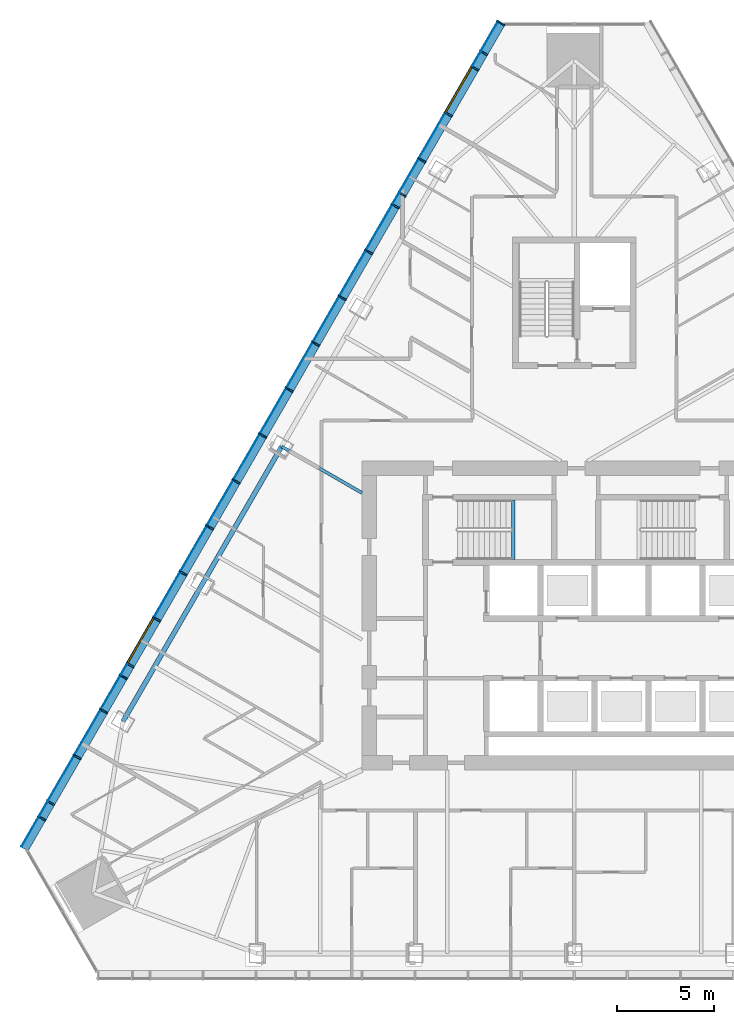
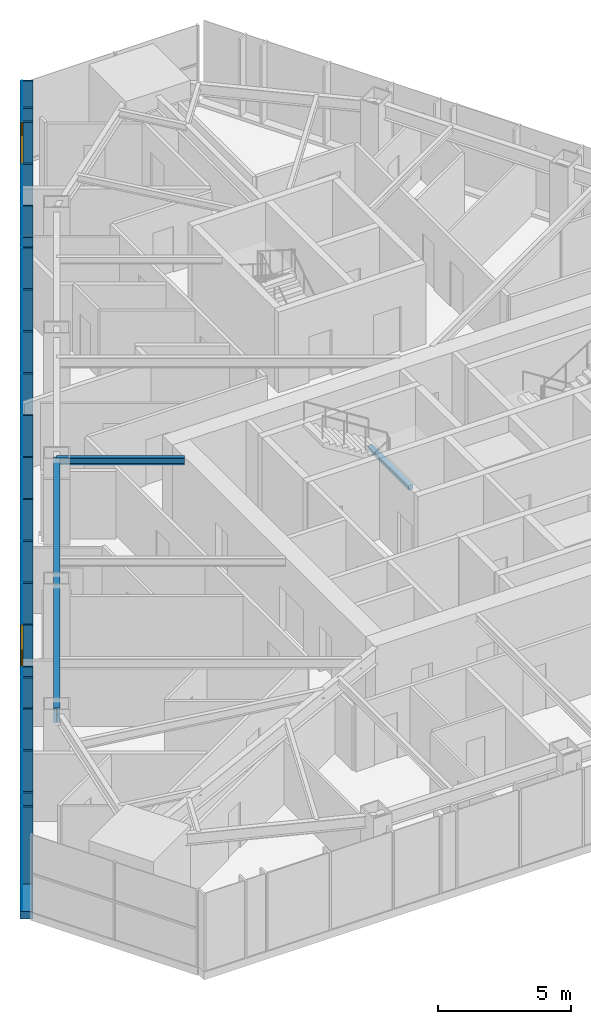
# One storey, part 4 of 16: 23 members, 20 plates, 3 beams, 2 windows, 2 openings, 1 element without a shape of its own.
"""IFC4 building model written with IfcOpenShell, lengths in metres."""

from ifc_helpers import new_model, si_unit, direction, frame, frame_2d, origin, origin_2d, place, context, subcontext, project, spatial, polyline, rectangle, i_section, outline, extrude, material, layer, layer_set, material_profile, profile_set, type_object, element, fill, aggregate, save


model = new_model("IFC4")

# Units and contexts
model_context = context("Model", 3, precision=1e-05, world=origin(), true_north=direction((0.0, 1.0)))
body_context = subcontext(model_context, "Body", "Model", "MODEL_VIEW")
ifc_project = project(units=[si_unit("LENGTHUNIT", "METRE"), si_unit("AREAUNIT", "SQUARE_METRE"), si_unit("VOLUMEUNIT", "CUBIC_METRE"), si_unit("PLANEANGLEUNIT", "RADIAN"), si_unit("MASSUNIT", "GRAM", prefix="KILO")], contexts=[model_context])

# Site, building, storey
site_placement = place(None, origin())
site = spatial("IfcSite", under=ifc_project, at=site_placement, CompositionType="ELEMENT")
building_placement = place(site_placement, origin())
building = spatial("IfcBuilding", under=site, at=building_placement, Name="Firuza Gate Tower and Library", CompositionType="ELEMENT")
storey_placement = place(building_placement, frame((0.0, 0.0, 229.89990234375)))
storey = spatial("IfcBuildingStorey", under=building, at=storey_placement, Name="L54", CompositionType="ELEMENT", Elevation=229.89990234375)

# Curtain wall, openings, members
ifc_material_1 = material(Name="Aluminium 6063-T6", Category="aluminium")
ifc_layer_1 = layer(ifc_material_1, 0.14990234375)
ifc_layer_set_1 = layer_set([ifc_layer_1], Name="Unitised curtain wall, hotel")
curtain_wall_type = type_object("IfcCurtainWallType", Name="Unitised curtain wall, hotel", PredefinedType="NOTDEFINED", material=ifc_layer_set_1)
curtain_wall_placement = place(storey_placement, origin())
curtain_wall = element("IfcCurtainWall", 1, at=curtain_wall_placement, inside=storey, type_object=curtain_wall_type, Name="CW2 L54 W face", PredefinedType="NOTDEFINED")
opening_1_placement = place(curtain_wall_placement, frame((69.677490234375, 103.399169921875, 0.150146484375), z_axis=(0.0, 0.0, 1.0), x_axis=(-0.5, -0.866025, 0.0)))
opening_1 = element("IfcOpeningElement", 2, at=opening_1_placement, cuts=curtain_wall, Name="Opening WD1-005", PredefinedType="OPENING", context=body_context, shape_type="SweptSolid", body=[
    extrude(rectangle(XDim=2.666748046875, YDim=3.550048828125, at=frame_2d((1.33349609375, 1.77490234375))), frame((0.0, 0.0849609375, 0.0), z_axis=(0.0, -1.0, 0.0), x_axis=(1.0, 0.0, 0.0)), (0.0, 0.0, 1.0), 0.169921875),
])
opening_2_placement = place(curtain_wall_placement, frame((53.197509765625, 74.855224609375, 0.150146484375), z_axis=(0.0, 0.0, 1.0), x_axis=(-0.5, -0.866025, 0.0)))
opening_2 = element("IfcOpeningElement", 3, at=opening_2_placement, cuts=curtain_wall, Name="Opening WD1-006", PredefinedType="OPENING", context=body_context, shape_type="SweptSolid", body=[
    extrude(rectangle(XDim=2.666748046875, YDim=3.550048828125, at=frame_2d((1.33349609375, 1.77490234375))), frame((0.0, 0.0849609375, 0.0), z_axis=(0.0, -1.0, 0.0), x_axis=(1.0, 0.0, 0.0)), (0.0, 0.0, 1.0), 0.169921875),
])
ifc_material_2 = material(Name="Aluminium 6063-T6", Category="aluminium")
ifc_material_profile_1 = material_profile(ifc_material_2, rectangle(XDim=0.47998046875, YDim=0.080078125, at=origin_2d()))
ifc_profile_set_1 = profile_set([ifc_material_profile_1], Name="Aluminium 6063-T6")
member_type_1 = type_object("IfcMemberType", Name="Curtain wall mullion 80x480", PredefinedType="MULLION", material=ifc_profile_set_1)
member_1_placement = place(storey_placement, frame((71.19384765625, 105.695556640625, 0.150146484375), z_axis=(0.0, 0.0, 1.0), x_axis=(0.866025403784, -0.5, 0.0)))
member_1 = element("IfcMember", 4, at=member_1_placement, type_object=member_type_1, Name="Mullion", PredefinedType="MULLION", context=body_context, shape_type="SweptSolid", body=[
    extrude(rectangle(XDim=0.47998046875, YDim=0.080078125, at=origin_2d()), origin(), (0.0, 0.0, 1.0), 3.550048828125),
])
member_2_placement = place(storey_placement, frame((69.840576171875, 103.351318359375, 0.150146484375), z_axis=(0.0, 0.0, 1.0), x_axis=(0.866025403784, -0.5, 0.0)))
member_2 = element("IfcMember", 5, at=member_2_placement, type_object=member_type_1, Name="Mullion", PredefinedType="MULLION", context=body_context, shape_type="SweptSolid", body=[
    extrude(rectangle(XDim=0.47998046875, YDim=0.080078125, at=origin_2d()), origin(), (0.0, 0.0, 1.0), 3.550048828125),
])
member_3_placement = place(storey_placement, frame((68.467041015625, 100.97265625, 0.150146484375), z_axis=(0.0, 0.0, 1.0), x_axis=(0.866025403784, -0.5, 0.0)))
member_3 = element("IfcMember", 6, at=member_3_placement, type_object=member_type_1, Name="Mullion", PredefinedType="MULLION", context=body_context, shape_type="SweptSolid", body=[
    extrude(rectangle(XDim=0.47998046875, YDim=0.080078125, at=origin_2d()), origin(), (0.0, 0.0, 1.0), 3.550048828125),
])
member_4_placement = place(storey_placement, frame((67.09375, 98.593994140625, 0.150146484375), z_axis=(0.0, 0.0, 1.0), x_axis=(0.866025403784, -0.5, 0.0)))
member_4 = element("IfcMember", 7, at=member_4_placement, type_object=member_type_1, Name="Mullion", PredefinedType="MULLION", context=body_context, shape_type="SweptSolid", body=[
    extrude(rectangle(XDim=0.47998046875, YDim=0.080078125, at=origin_2d()), origin(), (0.0, 0.0, 1.0), 3.550048828125),
])
member_5_placement = place(storey_placement, frame((65.720458984375, 96.21533203125, 0.150146484375), z_axis=(0.0, 0.0, 1.0), x_axis=(0.866025403784, -0.5, 0.0)))
member_5 = element("IfcMember", 8, at=member_5_placement, type_object=member_type_1, Name="Mullion", PredefinedType="MULLION", context=body_context, shape_type="SweptSolid", body=[
    extrude(rectangle(XDim=0.47998046875, YDim=0.080078125, at=origin_2d()), origin(), (0.0, 0.0, 1.0), 3.550048828125),
])
member_6_placement = place(storey_placement, frame((64.34716796875, 93.836669921875, 0.150146484375), z_axis=(0.0, 0.0, 1.0), x_axis=(0.866025403784, -0.5, 0.0)))
member_6 = element("IfcMember", 9, at=member_6_placement, type_object=member_type_1, Name="Mullion", PredefinedType="MULLION", context=body_context, shape_type="SweptSolid", body=[
    extrude(rectangle(XDim=0.47998046875, YDim=0.080078125, at=origin_2d()), origin(), (0.0, 0.0, 1.0), 3.550048828125),
])
member_7_placement = place(storey_placement, frame((62.973876953125, 91.4580078125, 0.150146484375), z_axis=(0.0, 0.0, 1.0), x_axis=(0.866025403784, -0.5, 0.0)))
member_7 = element("IfcMember", 10, at=member_7_placement, type_object=member_type_1, Name="Mullion", PredefinedType="MULLION", context=body_context, shape_type="SweptSolid", body=[
    extrude(rectangle(XDim=0.47998046875, YDim=0.080078125, at=origin_2d()), origin(), (0.0, 0.0, 1.0), 3.550048828125),
])
member_8_placement = place(storey_placement, frame((61.6005859375, 89.079345703125, 0.150146484375), z_axis=(0.0, 0.0, 1.0), x_axis=(0.866025403784, -0.5, 0.0)))
member_8 = element("IfcMember", 11, at=member_8_placement, type_object=member_type_1, Name="Mullion", PredefinedType="MULLION", context=body_context, shape_type="SweptSolid", body=[
    extrude(rectangle(XDim=0.47998046875, YDim=0.080078125, at=origin_2d()), origin(), (0.0, 0.0, 1.0), 3.550048828125),
])
member_9_placement = place(storey_placement, frame((60.22705078125, 86.70068359375, 0.150146484375), z_axis=(0.0, 0.0, 1.0), x_axis=(0.866025403784, -0.5, 0.0)))
member_9 = element("IfcMember", 12, at=member_9_placement, type_object=member_type_1, Name="Mullion", PredefinedType="MULLION", context=body_context, shape_type="SweptSolid", body=[
    extrude(rectangle(XDim=0.47998046875, YDim=0.080078125, at=origin_2d()), origin(), (0.0, 0.0, 1.0), 3.550048828125),
])
member_10_placement = place(storey_placement, frame((58.853759765625, 84.322021484375, 0.150146484375), z_axis=(0.0, 0.0, 1.0), x_axis=(0.866025403784, -0.5, 0.0)))
member_10 = element("IfcMember", 13, at=member_10_placement, type_object=member_type_1, Name="Mullion", PredefinedType="MULLION", context=body_context, shape_type="SweptSolid", body=[
    extrude(rectangle(XDim=0.47998046875, YDim=0.080078125, at=origin_2d()), origin(), (0.0, 0.0, 1.0), 3.550048828125),
])
member_11_placement = place(storey_placement, frame((57.48046875, 81.943359375, 0.150146484375), z_axis=(0.0, 0.0, 1.0), x_axis=(0.866025403784, -0.5, 0.0)))
member_11 = element("IfcMember", 14, at=member_11_placement, type_object=member_type_1, Name="Mullion", PredefinedType="MULLION", context=body_context, shape_type="SweptSolid", body=[
    extrude(rectangle(XDim=0.47998046875, YDim=0.080078125, at=origin_2d()), origin(), (0.0, 0.0, 1.0), 3.550048828125),
])
member_12_placement = place(storey_placement, frame((56.107177734375, 79.564697265625, 0.150146484375), z_axis=(0.0, 0.0, 1.0), x_axis=(0.866025403784, -0.5, 0.0)))
member_12 = element("IfcMember", 15, at=member_12_placement, type_object=member_type_1, Name="Mullion", PredefinedType="MULLION", context=body_context, shape_type="SweptSolid", body=[
    extrude(rectangle(XDim=0.47998046875, YDim=0.080078125, at=origin_2d()), origin(), (0.0, 0.0, 1.0), 3.550048828125),
])
member_13_placement = place(storey_placement, frame((54.73388671875, 77.18603515625, 0.150146484375), z_axis=(0.0, 0.0, 1.0), x_axis=(0.866025403784, -0.5, 0.0)))
member_13 = element("IfcMember", 16, at=member_13_placement, type_object=member_type_1, Name="Mullion", PredefinedType="MULLION", context=body_context, shape_type="SweptSolid", body=[
    extrude(rectangle(XDim=0.47998046875, YDim=0.080078125, at=origin_2d()), origin(), (0.0, 0.0, 1.0), 3.550048828125),
])
member_14_placement = place(storey_placement, frame((53.360595703125, 74.807373046875, 0.150146484375), z_axis=(0.0, 0.0, 1.0), x_axis=(0.866025403784, -0.5, 0.0)))
member_14 = element("IfcMember", 17, at=member_14_placement, type_object=member_type_1, Name="Mullion", PredefinedType="MULLION", context=body_context, shape_type="SweptSolid", body=[
    extrude(rectangle(XDim=0.47998046875, YDim=0.080078125, at=origin_2d()), origin(), (0.0, 0.0, 1.0), 3.550048828125),
])
member_15_placement = place(storey_placement, frame((51.9873046875, 72.4287109375, 0.150146484375), z_axis=(0.0, 0.0, 1.0), x_axis=(0.866025403784, -0.5, 0.0)))
member_15 = element("IfcMember", 18, at=member_15_placement, type_object=member_type_1, Name="Mullion", PredefinedType="MULLION", context=body_context, shape_type="SweptSolid", body=[
    extrude(rectangle(XDim=0.47998046875, YDim=0.080078125, at=origin_2d()), origin(), (0.0, 0.0, 1.0), 3.550048828125),
])
member_16_placement = place(storey_placement, frame((50.61376953125, 70.050048828125, 0.150146484375), z_axis=(0.0, 0.0, 1.0), x_axis=(0.866025403784, -0.5, 0.0)))
member_16 = element("IfcMember", 19, at=member_16_placement, type_object=member_type_1, Name="Mullion", PredefinedType="MULLION", context=body_context, shape_type="SweptSolid", body=[
    extrude(rectangle(XDim=0.47998046875, YDim=0.080078125, at=origin_2d()), origin(), (0.0, 0.0, 1.0), 3.550048828125),
])
member_17_placement = place(storey_placement, frame((49.240478515625, 67.671142578125, 0.150146484375), z_axis=(0.0, 0.0, 1.0), x_axis=(0.866025403784, -0.5, 0.0)))
member_17 = element("IfcMember", 20, at=member_17_placement, type_object=member_type_1, Name="Mullion", PredefinedType="MULLION", context=body_context, shape_type="SweptSolid", body=[
    extrude(rectangle(XDim=0.47998046875, YDim=0.080078125, at=origin_2d()), origin(), (0.0, 0.0, 1.0), 3.550048828125),
])
member_18_placement = place(storey_placement, frame((47.8671875, 65.29248046875, 0.150146484375), z_axis=(0.0, 0.0, 1.0), x_axis=(0.866025403784, -0.5, 0.0)))
member_18 = element("IfcMember", 21, at=member_18_placement, type_object=member_type_1, Name="Mullion", PredefinedType="MULLION", context=body_context, shape_type="SweptSolid", body=[
    extrude(rectangle(XDim=0.47998046875, YDim=0.080078125, at=origin_2d()), origin(), (0.0, 0.0, 1.0), 3.550048828125),
])
member_19_placement = place(storey_placement, frame((70.299560546875, 104.146484375, 0.150146484375), z_axis=(0.0, 0.0, 1.0), x_axis=(0.866025403784, -0.5, 0.0)))
member_19 = element("IfcMember", 22, at=member_19_placement, type_object=member_type_1, Name="Mullion", PredefinedType="MULLION", context=body_context, shape_type="SweptSolid", body=[
    extrude(rectangle(XDim=0.47998046875, YDim=0.080078125, at=origin_2d()), origin(), (0.0, 0.0, 1.0), 3.550048828125),
])
member_20_placement = place(storey_placement, frame((66.071533203125, 96.823486328125, 0.150146484375), z_axis=(0.0, 0.0, 1.0), x_axis=(0.866025403784, -0.5, 0.0)))
member_20 = element("IfcMember", 23, at=member_20_placement, type_object=member_type_1, Name="Mullion", PredefinedType="MULLION", context=body_context, shape_type="SweptSolid", body=[
    extrude(rectangle(XDim=0.47998046875, YDim=0.080078125, at=origin_2d()), origin(), (0.0, 0.0, 1.0), 3.550048828125),
])
member_21_placement = place(storey_placement, frame((51.635986328125, 71.8203125, 0.150146484375), z_axis=(0.0, 0.0, 1.0), x_axis=(0.866025403784, -0.5, 0.0)))
member_21 = element("IfcMember", 24, at=member_21_placement, type_object=member_type_1, Name="Mullion", PredefinedType="MULLION", context=body_context, shape_type="SweptSolid", body=[
    extrude(rectangle(XDim=0.47998046875, YDim=0.080078125, at=origin_2d()), origin(), (0.0, 0.0, 1.0), 3.550048828125),
])
member_22_placement = place(storey_placement, frame((47.408203125, 64.49755859375, 0.150146484375), z_axis=(0.0, 0.0, 1.0), x_axis=(0.866025403784, -0.5, 0.0)))
member_22 = element("IfcMember", 25, at=member_22_placement, type_object=member_type_1, Name="Mullion", PredefinedType="MULLION", context=body_context, shape_type="SweptSolid", body=[
    extrude(rectangle(XDim=0.47998046875, YDim=0.080078125, at=origin_2d()), origin(), (0.0, 0.0, 1.0), 3.550048828125),
])
ifc_material_3 = material(Name="Aluminium 6063-T6", Category="aluminium")
ifc_material_profile_2 = material_profile(ifc_material_3, rectangle(XDim=0.47998046875, YDim=0.35009765625, at=origin_2d()))
ifc_profile_set_2 = profile_set([ifc_material_profile_2], Name="Aluminium 6063-T6")
member_type_2 = type_object("IfcMemberType", Name="Curtain wall transom 350x480", PredefinedType="USERDEFINED", material=ifc_profile_set_2)
member_23_placement = place(storey_placement, frame((71.2138671875, 105.72998046875, -0.02490234375), z_axis=(-0.500000727908, -0.866024983526, 0.0), x_axis=(0.866024983526, -0.500000727908, 0.0)))
member_23 = element("IfcMember", 26, at=member_23_placement, type_object=member_type_2, Name="Transom", ObjectType="TRANSOM", PredefinedType="USERDEFINED", context=body_context, shape_type="SweptSolid", body=[
    extrude(rectangle(XDim=0.47998046875, YDim=0.35009765625, at=origin_2d()), origin(), (0.0, 0.0, 1.0), 49.43994140625),
])

# Beams
ifc_material_4 = material(Name="Concrete C35/45", Category="concrete")
ifc_material_profile_3 = material_profile(ifc_material_4, rectangle(XDim=0.199951171875, YDim=0.199951171875, at=origin_2d()))
ifc_profile_set_3 = profile_set([ifc_material_profile_3], Name="Concrete C35/45")
beam_type_1 = type_object("IfcBeamType", Name="Stair landing bearer 200x200", PredefinedType="BEAM", material=ifc_profile_set_3)
beam_1_placement = place(storey_placement, frame((71.840087890625, 77.89990234375, 1.650146484375), z_axis=(0.0, 1.0, 0.0), x_axis=(-1.0, 0.0, 0.0)))
element("IfcBeam", 27, at=beam_1_placement, inside=storey, type_object=beam_type_1, Name="Landing bearer L54 stair 1", PredefinedType="BEAM", context=body_context, shape_type="SweptSolid", body=[
    extrude(rectangle(XDim=0.199951171875, YDim=0.199951171875, at=origin_2d()), origin(), (0.0, 0.0, 1.0), 3.080078125),
])
ifc_material_5 = material(Name="Steel S355", Category="steel")
ifc_material_profile_4 = material_profile(ifc_material_5, i_section(OverallWidth=0.1650390625, OverallDepth=0.31005859375, WebThickness=0.005859375, FlangeThickness=0.009765625, at=origin_2d()))
ifc_profile_set_4 = profile_set([ifc_material_profile_4], Name="Steel S355")
beam_type_2 = type_object("IfcBeamType", Name="W310x39 Floor beam", PredefinedType="JOIST", material=ifc_profile_set_4)
beam_2_placement = place(storey_placement, frame((59.841064453125, 83.751953125, 3.545166015625), z_axis=(0.866028966346, -0.499993829411, 0.0), x_axis=(0.499993829411, 0.866028966346, 0.0)))
element("IfcBeam", 28, at=beam_2_placement, inside=storey, type_object=beam_type_2, Name="Floor beam L54 s82", PredefinedType="JOIST", context=body_context, shape_type="SweptSolid", body=[
    extrude(i_section(OverallWidth=0.1650390625, OverallDepth=0.31005859375, WebThickness=0.005859375, FlangeThickness=0.009765625, at=origin_2d()), origin(), (0.0, 0.0, 1.0), 4.80224609375),
])
ifc_material_6 = material(Name="Steel S355", Category="steel")
ifc_material_profile_5 = material_profile(ifc_material_6, i_section(OverallWidth=0.2529296875, OverallDepth=0.677978515625, WebThickness=0.01171875, FlangeThickness=0.016357421875, at=origin_2d()))
ifc_profile_set_5 = profile_set([ifc_material_profile_5], Name="Steel S355")
beam_type_3 = type_object("IfcBeamType", Name="W690x125 Edge beam", PredefinedType="SPANDREL", material=ifc_profile_set_5)
beam_3_placement = place(storey_placement, frame((59.841064453125, 83.751953125, 3.361083984375), z_axis=(-0.500001643842, -0.866024454709, 0.0), x_axis=(0.866024454709, -0.500001643842, 0.0)))
element("IfcBeam", 29, at=beam_3_placement, inside=storey, type_object=beam_type_3, Name="Edge beam L54 e82", PredefinedType="SPANDREL", context=body_context, shape_type="SweptSolid", body=[
    extrude(i_section(OverallWidth=0.2529296875, OverallDepth=0.677978515625, WebThickness=0.01171875, FlangeThickness=0.016357421875, at=origin_2d()), origin(), (0.0, 0.0, 1.0), 16.451171875),
])

# Plate
ifc_material_7 = material(Name="Fritted glass", Category="glass")
ifc_layer_2 = layer(ifc_material_7, 0.030029296875)
ifc_layer_set_2 = layer_set([ifc_layer_2], Name="Fritted glass unit, hotel")
plate_type_1 = type_object("IfcPlateType", Name="Fritted glass unit, hotel", PredefinedType="CURTAIN_PANEL", material=ifc_layer_set_2)
plate_1_placement = place(storey_placement, frame((70.12353515625, 104.20166015625, 0.150146484375), z_axis=(-0.866010893236, 0.500025132165, 0.0), x_axis=(-0.500025132165, -0.866010893236, 0.0)))
plate_1 = element("IfcPlate", 30, at=plate_1_placement, type_object=plate_type_1, Name="Glass unit", PredefinedType="CURTAIN_PANEL", context=body_context, shape_type="SweptSolid", body=[
    extrude(outline(polyline([(0.0, 0.0), (0.8378485111065582, 0.0), (0.8378485111065582, 3.550048828125), (0.0, 3.550048828125), (0.0, 0.0)])), origin(), (0.0, 0.0, -1.0), 0.030029296875),
])

plate_2_placement = place(storey_placement, frame((65.895751953125, 96.87890625, 0.150146484375), z_axis=(-0.866061432277, 0.499937591627, 0.0), x_axis=(-0.499937591627, -0.866061432277, 0.0)))
plate_2 = element("IfcPlate", 31, at=plate_2_placement, type_object=plate_type_1, Name="Glass unit", PredefinedType="CURTAIN_PANEL", context=body_context, shape_type="SweptSolid", body=[
    extrude(outline(polyline([(0.0, 0.0), (0.622147966984566, 0.0), (0.622147966984566, 3.5500488281249996), (0.0, 3.5500488281249996), (0.0, 0.0)])), origin(), (0.0, 0.0, -1.0), 0.030029296875),
])

plate_3_placement = place(storey_placement, frame((65.544677734375, 96.270751953125, 0.150146484375), z_axis=(-0.865991950723, 0.500057937927, 0.0), x_axis=(-0.500057937927, -0.865991950723, 0.0)))
plate_3 = element("IfcPlate", 32, at=plate_3_placement, type_object=plate_type_1, Name="Glass unit", PredefinedType="CURTAIN_PANEL", context=body_context, shape_type="SweptSolid", body=[
    extrude(outline(polyline([(0.0, 0.0), (2.666683183310937, 0.0), (2.666683183310937, 3.550048828125), (0.0, 3.550048828125), (0.0, 0.0)])), origin(), (0.0, 0.0, -1.0), 0.030029296875),
])

plate_4_placement = place(storey_placement, frame((61.424560546875, 89.134765625, 0.150146484375), z_axis=(-0.866054481515, 0.499949632511, 0.0), x_axis=(-0.499949632511, -0.866054481515, 0.0)))
plate_4 = element("IfcPlate", 33, at=plate_4_placement, type_object=plate_type_1, Name="Glass unit", PredefinedType="CURTAIN_PANEL", context=body_context, shape_type="SweptSolid", body=[
    extrude(outline(polyline([(0.0, 0.0), (2.6667725435239085, 0.0), (2.6667725435239085, 3.550048828125001), (0.0, 3.550048828125001), (0.0, 0.0)])), origin(), (0.0, 0.0, -1.0), 0.030029296875),
])

plate_5_placement = place(storey_placement, frame((57.3046875, 81.998779296875, 0.150146484375), z_axis=(-0.866014841347, 0.500018294232, 0.0), x_axis=(-0.500018294232, -0.866014841347, 0.0)))
plate_5 = element("IfcPlate", 34, at=plate_5_placement, type_object=plate_type_1, Name="Glass unit", PredefinedType="CURTAIN_PANEL", context=body_context, shape_type="SweptSolid", body=[
    extrude(outline(polyline([(0.0, 0.0), (2.6668946099214077, 0.0), (2.6668946099214077, 3.550048828125), (0.0, 3.550048828125), (0.0, 0.0)])), origin(), (0.0, 0.0, -1.0), 0.030029296875),
])

plate_6_placement = place(storey_placement, frame((51.811279296875, 72.48388671875, 0.150146484375), z_axis=(-0.866061432277, 0.499937591627, 0.0), x_axis=(-0.499937591627, -0.866061432277, 0.0)))
plate_6 = element("IfcPlate", 35, at=plate_6_placement, type_object=plate_type_1, Name="Glass unit", PredefinedType="CURTAIN_PANEL", context=body_context, shape_type="SweptSolid", body=[
    extrude(outline(polyline([(0.0, 0.0), (0.622147966984566, 0.0), (0.622147966984566, 3.5500488281249996), (0.0, 3.5500488281249996), (0.0, 0.0)])), origin(), (0.0, 0.0, -1.0), 0.030029296875),
])

plate_7_placement = place(storey_placement, frame((49.064697265625, 67.7265625, 0.150146484375), z_axis=(-0.865991950723, 0.500057937927, 0.0), x_axis=(-0.500057937927, -0.865991950723, 0.0)))
plate_7 = element("IfcPlate", 36, at=plate_7_placement, type_object=plate_type_1, Name="Glass unit", PredefinedType="CURTAIN_PANEL", context=body_context, shape_type="SweptSolid", body=[
    extrude(outline(polyline([(0.0, 0.0), (2.666683183310937, 0.0), (2.666683183310937, 3.550048828125), (0.0, 3.550048828125), (0.0, 0.0)])), origin(), (0.0, 0.0, -1.0), 0.030029296875),
])

plate_8_placement = place(storey_placement, frame((47.69140625, 65.347900390625, 0.150146484375), z_axis=(-0.865884704285, 0.500243619535, 0.0), x_axis=(-0.500243619535, -0.865884704285, 0.0)))
plate_8 = element("IfcPlate", 37, at=plate_8_placement, type_object=plate_type_1, Name="Glass unit", PredefinedType="CURTAIN_PANEL", context=body_context, shape_type="SweptSolid", body=[
    extrude(outline(polyline([(0.0, 0.0), (0.8379706142276055, 0.0), (0.8379706142276055, 3.550048828125), (0.0, 3.550048828125), (0.0, 0.0)])), origin(), (0.0, 0.0, -1.0), 0.030029296875),
])

ifc_material_8 = material(Name="Glazed ceramic tile")
ifc_layer_3 = layer(ifc_material_8, 0.030029296875)
ifc_layer_set_3 = layer_set([ifc_layer_3], Name="Opaque ceramic panel, hotel")
plate_type_2 = type_object("IfcPlateType", Name="Opaque ceramic panel, hotel", PredefinedType="CURTAIN_PANEL", material=ifc_layer_set_3)
plate_9_placement = place(storey_placement, frame((71.037841796875, 105.785400390625, 0.150146484375), z_axis=(-0.866043764853, 0.499968196347, 0.0), x_axis=(-0.499968196347, -0.866043764853, 0.0)))
plate_9 = element("IfcPlate", 38, at=plate_9_placement, type_object=plate_type_2, Name="Opaque ceramic panel", PredefinedType="CURTAIN_PANEL", context=body_context, shape_type="SweptSolid", body=[
    extrude(outline(polyline([(0.0, 0.0), (1.748646382935674, 0.0), (1.748646382935674, 3.550048828125), (0.0, 3.550048828125), (0.0, 0.0)])), origin(), (0.0, 0.0, -1.0), 0.030029296875),
])

plate_10_placement = place(storey_placement, frame((68.291259765625, 101.028076171875, 0.150146484375), z_axis=(-0.866031596129, 0.499989274391, 0.0), x_axis=(-0.499989274391, -0.866031596129, 0.0)))
plate_10 = element("IfcPlate", 39, at=plate_10_placement, type_object=plate_type_2, Name="Opaque ceramic panel", PredefinedType="CURTAIN_PANEL", context=body_context, shape_type="SweptSolid", body=[
    extrude(outline(polyline([(0.0, 0.0), (2.6665611072350224, 0.0), (2.6665611072350224, 3.550048828125001), (0.0, 3.550048828125001), (0.0, 0.0)])), origin(), (0.0, 0.0, -1.0), 0.030029296875),
])

plate_11_placement = place(storey_placement, frame((66.91796875, 98.6494140625, 0.150146484375), z_axis=(-0.86602414853, 0.500002174158, 0.0), x_axis=(-0.500002174158, -0.86602414853, 0.0)))
plate_11 = element("IfcPlate", 40, at=plate_11_placement, type_object=plate_type_2, Name="Opaque ceramic panel", PredefinedType="CURTAIN_PANEL", context=body_context, shape_type="SweptSolid", body=[
    extrude(outline(polyline([(0.0, 0.0), (1.9643469271472958, 0.0), (1.9643469271472958, 3.550048828125), (0.0, 3.550048828125), (0.0, 0.0)])), origin(), (0.0, 0.0, -1.0), 0.030029296875),
])

plate_12_placement = place(storey_placement, frame((64.17138671875, 93.89208984375, 0.150146484375), z_axis=(-0.865991950723, 0.500057937927, 0.0), x_axis=(-0.500057937927, -0.865991950723, 0.0)))
plate_12 = element("IfcPlate", 41, at=plate_12_placement, type_object=plate_type_2, Name="Opaque ceramic panel", PredefinedType="CURTAIN_PANEL", context=body_context, shape_type="SweptSolid", body=[
    extrude(outline(polyline([(0.0, 0.0), (2.666683183310937, 0.0), (2.666683183310937, 3.550048828125), (0.0, 3.550048828125), (0.0, 0.0)])), origin(), (0.0, 0.0, -1.0), 0.030029296875),
])

plate_13_placement = place(storey_placement, frame((62.7978515625, 91.513427734375, 0.150146484375), z_axis=(-0.866031596129, 0.499989274391, 0.0), x_axis=(-0.499989274391, -0.866031596129, 0.0)))
plate_13 = element("IfcPlate", 42, at=plate_13_placement, type_object=plate_type_2, Name="Opaque ceramic panel", PredefinedType="CURTAIN_PANEL", context=body_context, shape_type="SweptSolid", body=[
    extrude(outline(polyline([(0.0, 0.0), (2.6665611072350224, 0.0), (2.6665611072350224, 3.550048828125001), (0.0, 3.550048828125001), (0.0, 0.0)])), origin(), (0.0, 0.0, -1.0), 0.030029296875),
])

plate_14_placement = place(storey_placement, frame((60.05126953125, 86.756103515625, 0.150146484375), z_axis=(-0.866054481515, 0.499949632511, 0.0), x_axis=(-0.499949632511, -0.866054481515, 0.0)))
plate_14 = element("IfcPlate", 43, at=plate_14_placement, type_object=plate_type_2, Name="Opaque ceramic panel", PredefinedType="CURTAIN_PANEL", context=body_context, shape_type="SweptSolid", body=[
    extrude(outline(polyline([(0.0, 0.0), (2.6667725435239085, 0.0), (2.6667725435239085, 3.550048828125001), (0.0, 3.550048828125001), (0.0, 0.0)])), origin(), (0.0, 0.0, -1.0), 0.030029296875),
])

plate_15_placement = place(storey_placement, frame((58.677978515625, 84.37744140625, 0.150146484375), z_axis=(-0.866054481515, 0.499949632511, 0.0), x_axis=(-0.499949632511, -0.866054481515, 0.0)))
plate_15 = element("IfcPlate", 44, at=plate_15_placement, type_object=plate_type_2, Name="Opaque ceramic panel", PredefinedType="CURTAIN_PANEL", context=body_context, shape_type="SweptSolid", body=[
    extrude(outline(polyline([(0.0, 0.0), (2.6667725435239085, 0.0), (2.6667725435239085, 3.550048828125001), (0.0, 3.550048828125001), (0.0, 0.0)])), origin(), (0.0, 0.0, -1.0), 0.030029296875),
])

plate_16_placement = place(storey_placement, frame((55.931396484375, 79.6201171875, 0.150146484375), z_axis=(-0.866014841347, 0.500018294232, 0.0), x_axis=(-0.500018294232, -0.866014841347, 0.0)))
plate_16 = element("IfcPlate", 45, at=plate_16_placement, type_object=plate_type_2, Name="Opaque ceramic panel", PredefinedType="CURTAIN_PANEL", context=body_context, shape_type="SweptSolid", body=[
    extrude(outline(polyline([(0.0, 0.0), (2.6668946099214077, 0.0), (2.6668946099214077, 3.550048828125), (0.0, 3.550048828125), (0.0, 0.0)])), origin(), (0.0, 0.0, -1.0), 0.030029296875),
])

plate_17_placement = place(storey_placement, frame((54.557861328125, 77.2412109375, 0.150146484375), z_axis=(-0.866031596129, 0.499989274391, 0.0), x_axis=(-0.499989274391, -0.866031596129, 0.0)))
plate_17 = element("IfcPlate", 46, at=plate_17_placement, type_object=plate_type_2, Name="Opaque ceramic panel", PredefinedType="CURTAIN_PANEL", context=body_context, shape_type="SweptSolid", body=[
    extrude(outline(polyline([(0.0, 0.0), (2.6665611072350224, 0.0), (2.6665611072350224, 3.550048828125001), (0.0, 3.550048828125001), (0.0, 0.0)])), origin(), (0.0, 0.0, -1.0), 0.030029296875),
])

plate_18_placement = place(storey_placement, frame((51.460205078125, 71.875732421875, 0.150146484375), z_axis=(-0.86602414853, 0.500002174158, 0.0), x_axis=(-0.500002174158, -0.86602414853, 0.0)))
plate_18 = element("IfcPlate", 47, at=plate_18_placement, type_object=plate_type_2, Name="Opaque ceramic panel", PredefinedType="CURTAIN_PANEL", context=body_context, shape_type="SweptSolid", body=[
    extrude(outline(polyline([(0.0, 0.0), (1.9643469271472958, 0.0), (1.9643469271472958, 3.550048828125), (0.0, 3.550048828125), (0.0, 0.0)])), origin(), (0.0, 0.0, -1.0), 0.030029296875),
])

plate_19_placement = place(storey_placement, frame((50.43798828125, 70.105224609375, 0.150146484375), z_axis=(-0.866031596129, 0.499989274391, 0.0), x_axis=(-0.499989274391, -0.866031596129, 0.0)))
plate_19 = element("IfcPlate", 48, at=plate_19_placement, type_object=plate_type_2, Name="Opaque ceramic panel", PredefinedType="CURTAIN_PANEL", context=body_context, shape_type="SweptSolid", body=[
    extrude(outline(polyline([(0.0, 0.0), (2.6665611072350224, 0.0), (2.6665611072350224, 3.550048828125001), (0.0, 3.550048828125001), (0.0, 0.0)])), origin(), (0.0, 0.0, -1.0), 0.030029296875),
])

plate_20_placement = place(storey_placement, frame((47.232421875, 64.552978515625, 0.150146484375), z_axis=(-0.865983309407, 0.500072902514, 0.0), x_axis=(-0.500072902514, -0.865983309407, 0.0)))
plate_20 = element("IfcPlate", 49, at=plate_20_placement, type_object=plate_type_2, Name="Opaque ceramic panel", PredefinedType="CURTAIN_PANEL", context=body_context, shape_type="SweptSolid", body=[
    extrude(outline(polyline([(0.0, 0.0), (1.748768458265571, 0.0), (1.748768458265571, 3.550048828125), (0.0, 3.550048828125), (0.0, 0.0)])), origin(), (0.0, 0.0, -1.0), 0.030029296875),
])

aggregate(curtain_wall, [member_1, member_2, member_3, member_4, member_5, member_6, member_7, member_8, member_9, member_10, member_11, member_12, member_13, member_14, member_15, member_16, member_17, member_18, member_23, plate_9, plate_1, member_19, plate_10, plate_11, plate_2, member_20, plate_3, plate_12, plate_13, plate_4, plate_14, plate_15, plate_5, plate_16, plate_17, plate_6, plate_18, member_21, plate_19, plate_7, plate_8, plate_20, member_22])

# Window
ifc_material_9 = material(Name="Aluminium 6063-T6 and glass", Category="aluminium")
ifc_layer_4 = layer(ifc_material_9, 0.030029296875)
ifc_layer_set_4 = layer_set([ifc_layer_4], Name="Operable glazed unit")
window_type = type_object("IfcWindowType", Name="Operable glazed unit", PartitioningType="SINGLE_PANEL", PredefinedType="WINDOW", material=ifc_layer_set_4)
window_1_placement = place(opening_1_placement, origin())
window_1 = element("IfcWindow", 50, at=window_1_placement, inside=storey, type_object=window_type, Name="Operable glazed unit", OverallHeight=3.550048828125, OverallWidth=2.666748046875, PartitioningType="SINGLE_PANEL", PredefinedType="WINDOW", context=body_context, shape_type="SweptSolid", body=[
    extrude(rectangle(XDim=2.666748046875, YDim=3.550048828125, at=frame_2d((1.33349609375, 1.77490234375))), frame((0.0, 0.030029296875, 0.0), z_axis=(0.0, -1.0, 0.0), x_axis=(1.0, 0.0, 0.0)), (0.0, 0.0, 1.0), 0.06005859375),
])

fill(opening_1, window_1)

window_2_placement = place(opening_2_placement, origin())
window_2 = element("IfcWindow", 51, at=window_2_placement, inside=storey, type_object=window_type, Name="Operable glazed unit", OverallHeight=3.550048828125, OverallWidth=2.666748046875, PartitioningType="SINGLE_PANEL", PredefinedType="WINDOW", context=body_context, shape_type="SweptSolid", body=[
    extrude(rectangle(XDim=2.666748046875, YDim=3.550048828125, at=frame_2d((1.33349609375, 1.77490234375))), frame((0.0, 0.030029296875, 0.0), z_axis=(0.0, -1.0, 0.0), x_axis=(1.0, 0.0, 0.0)), (0.0, 0.0, 1.0), 0.06005859375),
])

fill(opening_2, window_2)

save(model, "model.ifc")
